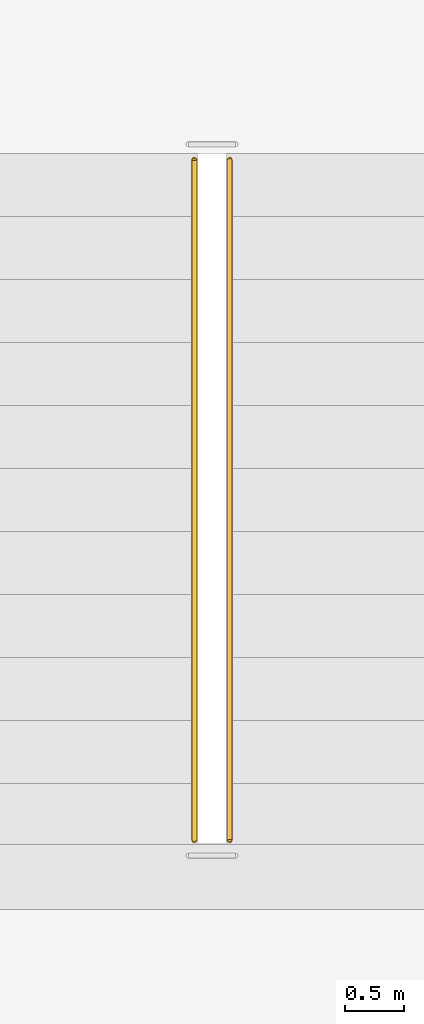
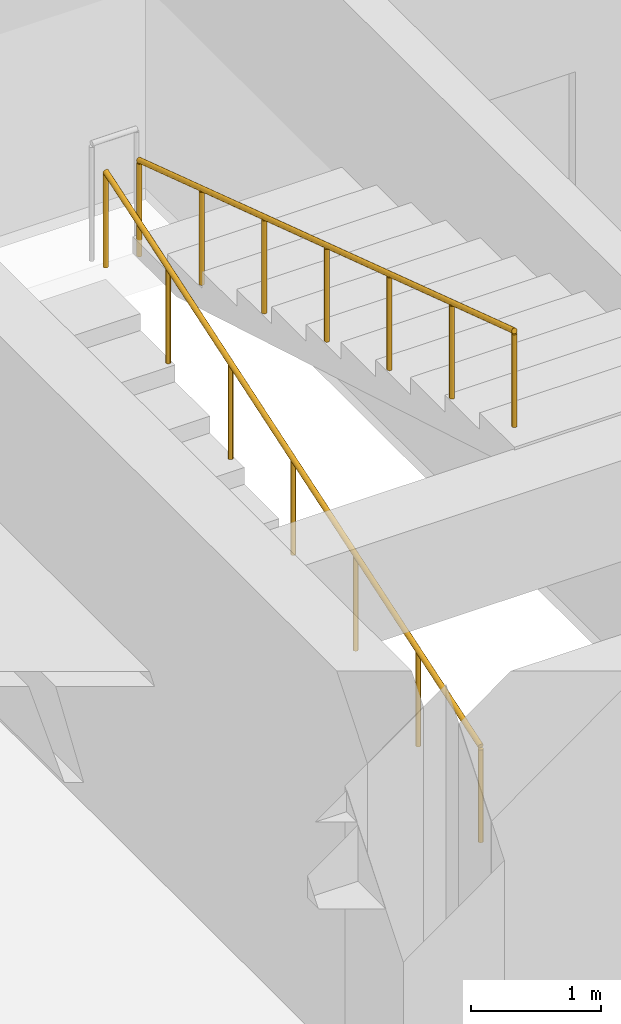
# One storey, part 17 of 19: 2 railings.
"""IFC4 building model written with IfcOpenShell, lengths in metres."""

from ifc_helpers import new_model, si_unit, direction, frame, origin, origin_2d, place, context, subcontext, project, spatial, circle, extrude, material, layer, layer_set, type_object, element, save


model = new_model("IFC4")

# Units and contexts
model_context = context("Model", 3, precision=1e-05, world=origin(), true_north=direction((0.0, 1.0)))
body_context = subcontext(model_context, "Body", "Model", "MODEL_VIEW")
ifc_project = project(units=[si_unit("LENGTHUNIT", "METRE"), si_unit("AREAUNIT", "SQUARE_METRE"), si_unit("VOLUMEUNIT", "CUBIC_METRE"), si_unit("PLANEANGLEUNIT", "RADIAN"), si_unit("MASSUNIT", "GRAM", prefix="KILO")], contexts=[model_context])

# Site, building, storey
site_placement = place(None, origin())
site = spatial("IfcSite", under=ifc_project, at=site_placement, CompositionType="ELEMENT")
building_placement = place(site_placement, origin())
building = spatial("IfcBuilding", under=site, at=building_placement, Name="Girod Span Mobility Hub", CompositionType="ELEMENT")
storey_placement = place(building_placement, frame((0.0, 0.0, 13.39990234375)))
storey = spatial("IfcBuildingStorey", under=building, at=storey_placement, Name="L03", CompositionType="ELEMENT", Elevation=13.39990234375)

# Railings
ifc_material = material(Name="Painted Galvanised Steel", Category="steel")
ifc_layer = layer(ifc_material, 0.050048828125)
ifc_layer_set = layer_set([ifc_layer], Name="Painted Galvanised Steel")
railing_type = type_object("IfcRailingType", Name="RL-HR-920", PredefinedType="HANDRAIL", material=ifc_layer_set)
railing_1_placement = place(storey_placement, frame((110.14990234375, 59.860107421875, 0.0)))
element("IfcRailing", 1, at=railing_1_placement, inside=storey, type_object=railing_type, Name="Stair ST-2 Flight 1 Handrail L03", PredefinedType="HANDRAIL", context=body_context, shape_type="SweptSolid", body=[
    extrude(circle(Radius=0.02392578125, at=origin_2d()), frame((0.0, 0.0, 0.89599609375), z_axis=(0.0, 0.949979375482, 0.31231264169), x_axis=(-1.0, 0.0, 0.0)), (0.0, 0.0, 1.0), 6.084228515625),
    extrude(circle(Radius=0.02099609375, at=origin_2d()), origin(), (0.0, 0.0, 1.0), 0.871826171875),
    extrude(circle(Radius=0.02099609375, at=origin_2d()), frame((0.0, 0.96337890625, 0.316650390625)), (0.0, 0.0, 1.0), 0.871826171875),
    extrude(circle(Radius=0.02099609375, at=origin_2d()), frame((0.0, 1.926513671875, 0.63330078125)), (0.0, 0.0, 1.0), 0.871826171875),
    extrude(circle(Radius=0.02099609375, at=origin_2d()), frame((0.0, 2.889892578125, 0.9501953125)), (0.0, 0.0, 1.0), 0.871826171875),
    extrude(circle(Radius=0.02099609375, at=origin_2d()), frame((0.0, 3.853271484375, 1.266845703125)), (0.0, 0.0, 1.0), 0.871826171875),
    extrude(circle(Radius=0.02099609375, at=origin_2d()), frame((0.0, 4.81640625, 1.58349609375)), (0.0, 0.0, 1.0), 0.871826171875),
    extrude(circle(Radius=0.02099609375, at=origin_2d()), frame((0.0, 5.77978515625, 1.900146484375)), (0.0, 0.0, 1.0), 0.871826171875),
])
railing_2_placement = place(storey_placement, frame((110.449951171875, 65.639892578125, 1.900146484375)))
element("IfcRailing", 2, at=railing_2_placement, inside=storey, type_object=railing_type, Name="Stair ST-2 Flight 2 Handrail L03", PredefinedType="HANDRAIL", context=body_context, shape_type="SweptSolid", body=[
    extrude(circle(Radius=0.02392578125, at=origin_2d()), frame((0.0, 0.0, 0.89599609375), z_axis=(0.0, -0.949991280403, 0.312276427477), x_axis=(1.0, 0.0, 0.0)), (0.0, 0.0, 1.0), 6.083984375),
    extrude(circle(Radius=0.02099609375, at=origin_2d()), origin(), (0.0, 0.0, 1.0), 0.871826171875),
    extrude(circle(Radius=0.02099609375, at=origin_2d()), frame((0.0, -0.96337890625, 0.316650390625)), (0.0, 0.0, 1.0), 0.871826171875),
    extrude(circle(Radius=0.02099609375, at=origin_2d()), frame((0.0, -1.926513671875, 0.63330078125)), (0.0, 0.0, 1.0), 0.871826171875),
    extrude(circle(Radius=0.02099609375, at=origin_2d()), frame((0.0, -2.889892578125, 0.949951171875)), (0.0, 0.0, 1.0), 0.871826171875),
    extrude(circle(Radius=0.02099609375, at=origin_2d()), frame((0.0, -3.853271484375, 1.2666015625)), (0.0, 0.0, 1.0), 0.871826171875),
    extrude(circle(Radius=0.02099609375, at=origin_2d()), frame((0.0, -4.81640625, 1.583251953125)), (0.0, 0.0, 1.0), 0.871826171875),
    extrude(circle(Radius=0.02099609375, at=origin_2d()), frame((0.0, -5.77978515625, 1.89990234375)), (0.0, 0.0, 1.0), 0.871826171875),
])

save(model, "model.ifc")
